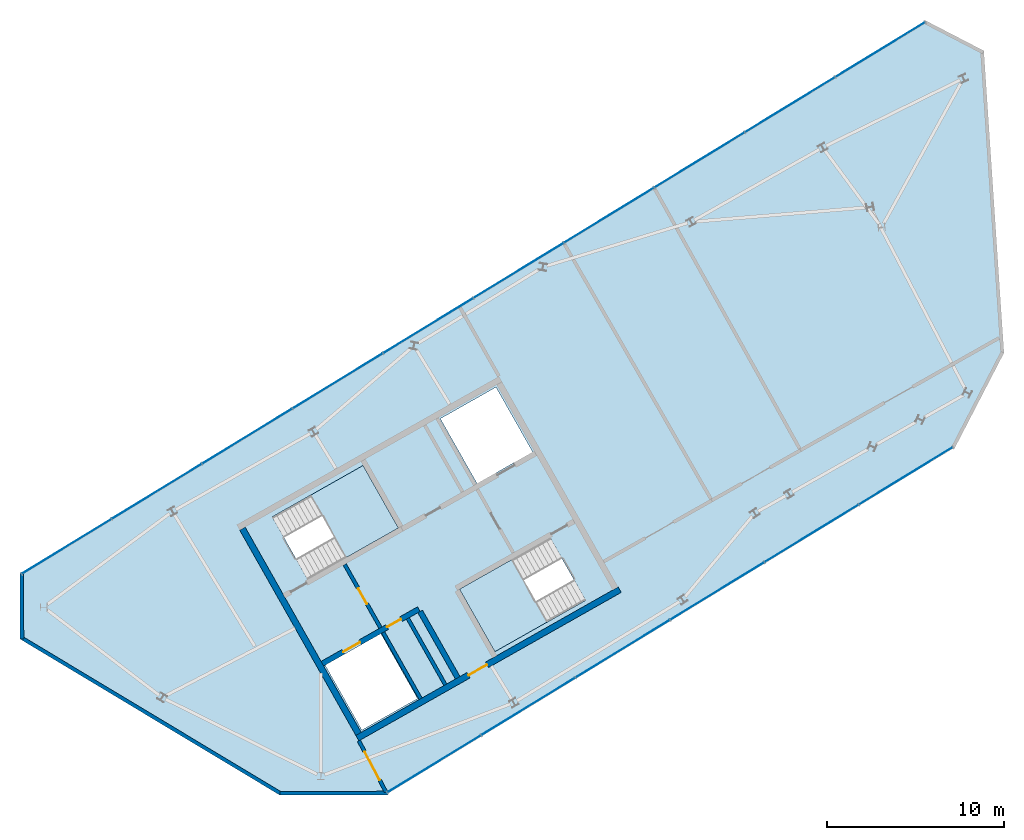
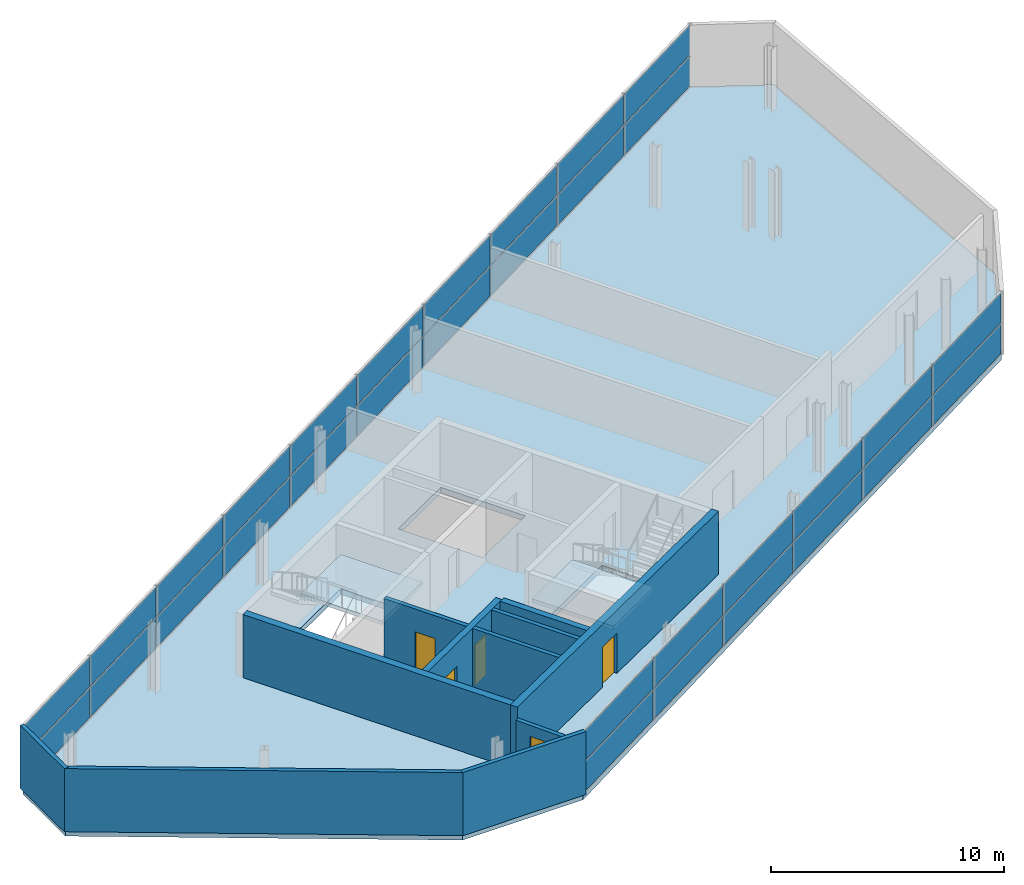
# One storey, part 6 of 8: 32 plates, 11 walls, 5 doors, 3 slabs, 5 openings, 4 elements without a shape of their own.
"""IFC4 building model written with IfcOpenShell, lengths in metres."""

from ifc_helpers import new_model, si_unit, direction, frame, frame_2d, origin, origin_2d, place, context, subcontext, project, spatial, polyline, rectangle, outline, extrude, material, layer, layer_set, type_object, element, fill, aggregate, save


model = new_model("IFC4")

# Units and contexts
model_context = context("Model", 3, precision=1e-05, world=origin(), true_north=direction((0.0, 1.0)))
body_context = subcontext(model_context, "Body", "Model", "MODEL_VIEW")
ifc_project = project(units=[si_unit("LENGTHUNIT", "METRE"), si_unit("AREAUNIT", "SQUARE_METRE"), si_unit("VOLUMEUNIT", "CUBIC_METRE"), si_unit("PLANEANGLEUNIT", "RADIAN"), si_unit("MASSUNIT", "GRAM", prefix="KILO")], contexts=[model_context])

# Site, building, storey
site_placement = place(None, origin())
site = spatial("IfcSite", under=ifc_project, at=site_placement, CompositionType="ELEMENT")
building_placement = place(site_placement, origin())
building = spatial("IfcBuilding", under=site, at=building_placement, Name="Binnacle Exchange Tower", CompositionType="ELEMENT")
storey_placement = place(building_placement, frame((0.0, 0.0, 350.5)))
storey = spatial("IfcBuildingStorey", under=building, at=storey_placement, Name="L80", CompositionType="ELEMENT", Elevation=350.5)

# Curtain wall, plates
ifc_material_1 = material(Name="Bronze anodised aluminium frame", Category="aluminium")
curtain_wall_type = type_object("IfcCurtainWallType", Name="External wall - curtain wall crown tiers", PredefinedType="NOTDEFINED", material=ifc_material_1)
curtain_wall_1_placement = place(storey_placement, origin())
curtain_wall_1 = element("IfcCurtainWall", 1, at=curtain_wall_1_placement, inside=storey, type_object=curtain_wall_type, Name="External wall curtain wall CW5-C103 L80", PredefinedType="NOTDEFINED")
ifc_material_2 = material(Name="Glass", Category="glass")
ifc_layer_1 = layer(ifc_material_2, 0.028076171875)
ifc_layer_set_1 = layer_set([ifc_layer_1], Name="CW5 GLASS PANEL 28")
plate_type = type_object("IfcPlateType", Name="CW5 GLASS PANEL 28", PredefinedType="CURTAIN_PANEL", material=ifc_layer_set_1)
plate_1_placement = place(storey_placement, frame((-10.31201171875, 68.471923828125, 0.0498046875), z_axis=(0.0, 0.0, 1.0), x_axis=(-0.853460873194, -0.521156922554, 0.0)))
plate_1 = element("IfcPlate", 2, at=plate_1_placement, type_object=plate_type, Name="CW5-C103 panel 1.1", PredefinedType="CURTAIN_PANEL", context=body_context, shape_type="SweptSolid", body=[
    extrude(rectangle(XDim=5.887451171875, YDim=0.028076171875, at=origin_2d()), origin(), (0.0, 0.0, 1.0), 1.574951171875),
])
plate_2_placement = place(storey_placement, frame((-10.31201171875, 68.471923828125, 1.6748046875), z_axis=(0.0, 0.0, 1.0), x_axis=(-0.853460873194, -0.521156922554, 0.0)))
plate_2 = element("IfcPlate", 3, at=plate_2_placement, type_object=plate_type, Name="CW5-C103 panel 1.2", PredefinedType="CURTAIN_PANEL", context=body_context, shape_type="SweptSolid", body=[
    extrude(rectangle(XDim=5.887451171875, YDim=0.028076171875, at=origin_2d()), origin(), (0.0, 0.0, 1.0), 1.574951171875),
])
plate_3_placement = place(storey_placement, frame((-15.40087890625, 65.36474609375, 0.0498046875), z_axis=(0.0, 0.0, 1.0), x_axis=(-0.853460873194, -0.521156922554, 0.0)))
plate_3 = element("IfcPlate", 4, at=plate_3_placement, type_object=plate_type, Name="CW5-C103 panel 2.1", PredefinedType="CURTAIN_PANEL", context=body_context, shape_type="SweptSolid", body=[
    extrude(rectangle(XDim=5.91748046875, YDim=0.028076171875, at=origin_2d()), origin(), (0.0, 0.0, 1.0), 1.574951171875),
])
plate_4_placement = place(storey_placement, frame((-15.40087890625, 65.36474609375, 1.6748046875), z_axis=(0.0, 0.0, 1.0), x_axis=(-0.853460873194, -0.521156922554, 0.0)))
plate_4 = element("IfcPlate", 5, at=plate_4_placement, type_object=plate_type, Name="CW5-C103 panel 2.2", PredefinedType="CURTAIN_PANEL", context=body_context, shape_type="SweptSolid", body=[
    extrude(rectangle(XDim=5.91748046875, YDim=0.028076171875, at=origin_2d()), origin(), (0.0, 0.0, 1.0), 1.574951171875),
])
plate_5_placement = place(storey_placement, frame((-20.50244140625, 62.24951171875, 0.0498046875), z_axis=(0.0, 0.0, 1.0), x_axis=(-0.853460873194, -0.521156922554, 0.0)))
plate_5 = element("IfcPlate", 6, at=plate_5_placement, type_object=plate_type, Name="CW5-C103 panel 3.1", PredefinedType="CURTAIN_PANEL", context=body_context, shape_type="SweptSolid", body=[
    extrude(rectangle(XDim=5.91748046875, YDim=0.028076171875, at=origin_2d()), origin(), (0.0, 0.0, 1.0), 1.574951171875),
])
plate_6_placement = place(storey_placement, frame((-20.50244140625, 62.24951171875, 1.6748046875), z_axis=(0.0, 0.0, 1.0), x_axis=(-0.853460873194, -0.521156922554, 0.0)))
plate_6 = element("IfcPlate", 7, at=plate_6_placement, type_object=plate_type, Name="CW5-C103 panel 3.2", PredefinedType="CURTAIN_PANEL", context=body_context, shape_type="SweptSolid", body=[
    extrude(rectangle(XDim=5.91748046875, YDim=0.028076171875, at=origin_2d()), origin(), (0.0, 0.0, 1.0), 1.574951171875),
])
plate_7_placement = place(storey_placement, frame((-25.60400390625, 59.13427734375, 0.0498046875), z_axis=(0.0, 0.0, 1.0), x_axis=(-0.853460873194, -0.521156922554, 0.0)))
plate_7 = element("IfcPlate", 8, at=plate_7_placement, type_object=plate_type, Name="CW5-C103 panel 4.1", PredefinedType="CURTAIN_PANEL", context=body_context, shape_type="SweptSolid", body=[
    extrude(rectangle(XDim=5.91748046875, YDim=0.028076171875, at=origin_2d()), origin(), (0.0, 0.0, 1.0), 1.574951171875),
])
plate_8_placement = place(storey_placement, frame((-25.60400390625, 59.13427734375, 1.6748046875), z_axis=(0.0, 0.0, 1.0), x_axis=(-0.853460873194, -0.521156922554, 0.0)))
plate_8 = element("IfcPlate", 9, at=plate_8_placement, type_object=plate_type, Name="CW5-C103 panel 4.2", PredefinedType="CURTAIN_PANEL", context=body_context, shape_type="SweptSolid", body=[
    extrude(rectangle(XDim=5.91748046875, YDim=0.028076171875, at=origin_2d()), origin(), (0.0, 0.0, 1.0), 1.574951171875),
])
plate_9_placement = place(storey_placement, frame((-30.70556640625, 56.01904296875, 0.0498046875), z_axis=(0.0, 0.0, 1.0), x_axis=(-0.853460873194, -0.521156922554, 0.0)))
plate_9 = element("IfcPlate", 10, at=plate_9_placement, type_object=plate_type, Name="CW5-C103 panel 5.1", PredefinedType="CURTAIN_PANEL", context=body_context, shape_type="SweptSolid", body=[
    extrude(rectangle(XDim=5.91748046875, YDim=0.028076171875, at=origin_2d()), origin(), (0.0, 0.0, 1.0), 1.574951171875),
])
plate_10_placement = place(storey_placement, frame((-30.70556640625, 56.01904296875, 1.6748046875), z_axis=(0.0, 0.0, 1.0), x_axis=(-0.853460873194, -0.521156922554, 0.0)))
plate_10 = element("IfcPlate", 11, at=plate_10_placement, type_object=plate_type, Name="CW5-C103 panel 5.2", PredefinedType="CURTAIN_PANEL", context=body_context, shape_type="SweptSolid", body=[
    extrude(rectangle(XDim=5.91748046875, YDim=0.028076171875, at=origin_2d()), origin(), (0.0, 0.0, 1.0), 1.574951171875),
])
plate_11_placement = place(storey_placement, frame((-35.80712890625, 52.90380859375, 0.0498046875), z_axis=(0.0, 0.0, 1.0), x_axis=(-0.853460873194, -0.521156922554, 0.0)))
plate_11 = element("IfcPlate", 12, at=plate_11_placement, type_object=plate_type, Name="CW5-C103 panel 6.1", PredefinedType="CURTAIN_PANEL", context=body_context, shape_type="SweptSolid", body=[
    extrude(rectangle(XDim=5.91748046875, YDim=0.028076171875, at=origin_2d()), origin(), (0.0, 0.0, 1.0), 1.574951171875),
])
plate_12_placement = place(storey_placement, frame((-35.80712890625, 52.90380859375, 1.6748046875), z_axis=(0.0, 0.0, 1.0), x_axis=(-0.853460873194, -0.521156922554, 0.0)))
plate_12 = element("IfcPlate", 13, at=plate_12_placement, type_object=plate_type, Name="CW5-C103 panel 6.2", PredefinedType="CURTAIN_PANEL", context=body_context, shape_type="SweptSolid", body=[
    extrude(rectangle(XDim=5.91748046875, YDim=0.028076171875, at=origin_2d()), origin(), (0.0, 0.0, 1.0), 1.574951171875),
])
plate_13_placement = place(storey_placement, frame((-40.90869140625, 49.78857421875, 0.0498046875), z_axis=(0.0, 0.0, 1.0), x_axis=(-0.853460873194, -0.521156922554, 0.0)))
plate_13 = element("IfcPlate", 14, at=plate_13_placement, type_object=plate_type, Name="CW5-C103 panel 7.1", PredefinedType="CURTAIN_PANEL", context=body_context, shape_type="SweptSolid", body=[
    extrude(rectangle(XDim=5.91748046875, YDim=0.028076171875, at=origin_2d()), origin(), (0.0, 0.0, 1.0), 1.574951171875),
])
plate_14_placement = place(storey_placement, frame((-40.90869140625, 49.78857421875, 1.6748046875), z_axis=(0.0, 0.0, 1.0), x_axis=(-0.853460873194, -0.521156922554, 0.0)))
plate_14 = element("IfcPlate", 15, at=plate_14_placement, type_object=plate_type, Name="CW5-C103 panel 7.2", PredefinedType="CURTAIN_PANEL", context=body_context, shape_type="SweptSolid", body=[
    extrude(rectangle(XDim=5.91748046875, YDim=0.028076171875, at=origin_2d()), origin(), (0.0, 0.0, 1.0), 1.574951171875),
])
plate_15_placement = place(storey_placement, frame((-46.01025390625, 46.67333984375, 0.0498046875), z_axis=(0.0, 0.0, 1.0), x_axis=(-0.853460873194, -0.521156922554, 0.0)))
plate_15 = element("IfcPlate", 16, at=plate_15_placement, type_object=plate_type, Name="CW5-C103 panel 8.1", PredefinedType="CURTAIN_PANEL", context=body_context, shape_type="SweptSolid", body=[
    extrude(rectangle(XDim=5.91748046875, YDim=0.028076171875, at=origin_2d()), origin(), (0.0, 0.0, 1.0), 1.574951171875),
])
plate_16_placement = place(storey_placement, frame((-46.01025390625, 46.67333984375, 1.6748046875), z_axis=(0.0, 0.0, 1.0), x_axis=(-0.853460873194, -0.521156922554, 0.0)))
plate_16 = element("IfcPlate", 17, at=plate_16_placement, type_object=plate_type, Name="CW5-C103 panel 8.2", PredefinedType="CURTAIN_PANEL", context=body_context, shape_type="SweptSolid", body=[
    extrude(rectangle(XDim=5.91748046875, YDim=0.028076171875, at=origin_2d()), origin(), (0.0, 0.0, 1.0), 1.574951171875),
])
plate_17_placement = place(storey_placement, frame((-51.11181640625, 43.55810546875, 0.0498046875), z_axis=(0.0, 0.0, 1.0), x_axis=(-0.853460873194, -0.521156922554, 0.0)))
plate_17 = element("IfcPlate", 18, at=plate_17_placement, type_object=plate_type, Name="CW5-C103 panel 9.1", PredefinedType="CURTAIN_PANEL", context=body_context, shape_type="SweptSolid", body=[
    extrude(rectangle(XDim=5.91748046875, YDim=0.028076171875, at=origin_2d()), origin(), (0.0, 0.0, 1.0), 1.574951171875),
])
plate_18_placement = place(storey_placement, frame((-51.11181640625, 43.55810546875, 1.6748046875), z_axis=(0.0, 0.0, 1.0), x_axis=(-0.853460873194, -0.521156922554, 0.0)))
plate_18 = element("IfcPlate", 19, at=plate_18_placement, type_object=plate_type, Name="CW5-C103 panel 9.2", PredefinedType="CURTAIN_PANEL", context=body_context, shape_type="SweptSolid", body=[
    extrude(rectangle(XDim=5.91748046875, YDim=0.028076171875, at=origin_2d()), origin(), (0.0, 0.0, 1.0), 1.574951171875),
])
plate_19_placement = place(storey_placement, frame((-56.20068359375, 40.45068359375, 0.0498046875), z_axis=(0.0, 0.0, 1.0), x_axis=(-0.853460873194, -0.521156922554, 0.0)))
plate_19 = element("IfcPlate", 20, at=plate_19_placement, type_object=plate_type, Name="CW5-C103 panel 10.1", PredefinedType="CURTAIN_PANEL", context=body_context, shape_type="SweptSolid", body=[
    extrude(rectangle(XDim=5.887451171875, YDim=0.028076171875, at=origin_2d()), origin(), (0.0, 0.0, 1.0), 1.574951171875),
])
plate_20_placement = place(storey_placement, frame((-56.20068359375, 40.45068359375, 1.6748046875), z_axis=(0.0, 0.0, 1.0), x_axis=(-0.853460873194, -0.521156922554, 0.0)))
plate_20 = element("IfcPlate", 21, at=plate_20_placement, type_object=plate_type, Name="CW5-C103 panel 10.2", PredefinedType="CURTAIN_PANEL", context=body_context, shape_type="SweptSolid", body=[
    extrude(rectangle(XDim=5.887451171875, YDim=0.028076171875, at=origin_2d()), origin(), (0.0, 0.0, 1.0), 1.574951171875),
])
aggregate(curtain_wall_1, [plate_1, plate_2, plate_3, plate_4, plate_5, plate_6, plate_7, plate_8, plate_9, plate_10, plate_11, plate_12, plate_13, plate_14, plate_15, plate_16, plate_17, plate_18, plate_19, plate_20])

curtain_wall_2_placement = place(storey_placement, origin())
curtain_wall_2 = element("IfcCurtainWall", 22, at=curtain_wall_2_placement, inside=storey, type_object=curtain_wall_type, Name="External wall curtain wall CW5-C107 L80", PredefinedType="NOTDEFINED")
plate_21_placement = place(storey_placement, frame((-35.47021484375, 28.1865234375, 0.0498046875), z_axis=(0.0, 0.0, 1.0), x_axis=(0.853460873194, 0.521156922554, 0.0)))
plate_21 = element("IfcPlate", 23, at=plate_21_placement, type_object=plate_type, Name="CW5-C107 panel 1.1", PredefinedType="CURTAIN_PANEL", context=body_context, shape_type="SweptSolid", body=[
    extrude(rectangle(XDim=6.149169921875, YDim=0.028076171875, at=origin_2d()), origin(), (0.0, 0.0, 1.0), 1.574951171875),
])
plate_22_placement = place(storey_placement, frame((-35.47021484375, 28.1865234375, 1.6748046875), z_axis=(0.0, 0.0, 1.0), x_axis=(0.853460873194, 0.521156922554, 0.0)))
plate_22 = element("IfcPlate", 24, at=plate_22_placement, type_object=plate_type, Name="CW5-C107 panel 1.2", PredefinedType="CURTAIN_PANEL", context=body_context, shape_type="SweptSolid", body=[
    extrude(rectangle(XDim=6.149169921875, YDim=0.028076171875, at=origin_2d()), origin(), (0.0, 0.0, 1.0), 1.574951171875),
])
plate_23_placement = place(storey_placement, frame((-30.158203125, 31.43017578125, 0.0498046875), z_axis=(0.0, 0.0, 1.0), x_axis=(0.853460873194, 0.521156922554, 0.0)))
plate_23 = element("IfcPlate", 25, at=plate_23_placement, type_object=plate_type, Name="CW5-C107 panel 2.1", PredefinedType="CURTAIN_PANEL", context=body_context, shape_type="SweptSolid", body=[
    extrude(rectangle(XDim=6.17919921875, YDim=0.028076171875, at=origin_2d()), origin(), (0.0, 0.0, 1.0), 1.574951171875),
])
plate_24_placement = place(storey_placement, frame((-30.158203125, 31.43017578125, 1.6748046875), z_axis=(0.0, 0.0, 1.0), x_axis=(0.853460873194, 0.521156922554, 0.0)))
plate_24 = element("IfcPlate", 26, at=plate_24_placement, type_object=plate_type, Name="CW5-C107 panel 2.2", PredefinedType="CURTAIN_PANEL", context=body_context, shape_type="SweptSolid", body=[
    extrude(rectangle(XDim=6.17919921875, YDim=0.028076171875, at=origin_2d()), origin(), (0.0, 0.0, 1.0), 1.574951171875),
])
plate_25_placement = place(storey_placement, frame((-24.833251953125, 34.681884765625, 0.0498046875), z_axis=(0.0, 0.0, 1.0), x_axis=(0.853460873194, 0.521156922554, 0.0)))
plate_25 = element("IfcPlate", 27, at=plate_25_placement, type_object=plate_type, Name="CW5-C107 panel 3.1", PredefinedType="CURTAIN_PANEL", context=body_context, shape_type="SweptSolid", body=[
    extrude(rectangle(XDim=6.17919921875, YDim=0.028076171875, at=origin_2d()), origin(), (0.0, 0.0, 1.0), 1.574951171875),
])
plate_26_placement = place(storey_placement, frame((-24.833251953125, 34.681884765625, 1.6748046875), z_axis=(0.0, 0.0, 1.0), x_axis=(0.853460873194, 0.521156922554, 0.0)))
plate_26 = element("IfcPlate", 28, at=plate_26_placement, type_object=plate_type, Name="CW5-C107 panel 3.2", PredefinedType="CURTAIN_PANEL", context=body_context, shape_type="SweptSolid", body=[
    extrude(rectangle(XDim=6.17919921875, YDim=0.028076171875, at=origin_2d()), origin(), (0.0, 0.0, 1.0), 1.574951171875),
])
plate_27_placement = place(storey_placement, frame((-19.50830078125, 37.933349609375, 0.0498046875), z_axis=(0.0, 0.0, 1.0), x_axis=(0.853460873194, 0.521156922554, 0.0)))
plate_27 = element("IfcPlate", 29, at=plate_27_placement, type_object=plate_type, Name="CW5-C107 panel 4.1", PredefinedType="CURTAIN_PANEL", context=body_context, shape_type="SweptSolid", body=[
    extrude(rectangle(XDim=6.17919921875, YDim=0.028076171875, at=origin_2d()), origin(), (0.0, 0.0, 1.0), 1.574951171875),
])
plate_28_placement = place(storey_placement, frame((-19.50830078125, 37.933349609375, 1.6748046875), z_axis=(0.0, 0.0, 1.0), x_axis=(0.853460873194, 0.521156922554, 0.0)))
plate_28 = element("IfcPlate", 30, at=plate_28_placement, type_object=plate_type, Name="CW5-C107 panel 4.2", PredefinedType="CURTAIN_PANEL", context=body_context, shape_type="SweptSolid", body=[
    extrude(rectangle(XDim=6.17919921875, YDim=0.028076171875, at=origin_2d()), origin(), (0.0, 0.0, 1.0), 1.574951171875),
])
plate_29_placement = place(storey_placement, frame((-14.183349609375, 41.18505859375, 0.0498046875), z_axis=(0.0, 0.0, 1.0), x_axis=(0.853460873194, 0.521156922554, 0.0)))
plate_29 = element("IfcPlate", 31, at=plate_29_placement, type_object=plate_type, Name="CW5-C107 panel 5.1", PredefinedType="CURTAIN_PANEL", context=body_context, shape_type="SweptSolid", body=[
    extrude(rectangle(XDim=6.17919921875, YDim=0.028076171875, at=origin_2d()), origin(), (0.0, 0.0, 1.0), 1.574951171875),
])
plate_30_placement = place(storey_placement, frame((-14.183349609375, 41.18505859375, 1.6748046875), z_axis=(0.0, 0.0, 1.0), x_axis=(0.853460873194, 0.521156922554, 0.0)))
plate_30 = element("IfcPlate", 32, at=plate_30_placement, type_object=plate_type, Name="CW5-C107 panel 5.2", PredefinedType="CURTAIN_PANEL", context=body_context, shape_type="SweptSolid", body=[
    extrude(rectangle(XDim=6.17919921875, YDim=0.028076171875, at=origin_2d()), origin(), (0.0, 0.0, 1.0), 1.574951171875),
])
plate_31_placement = place(storey_placement, frame((-8.871337890625, 44.4287109375, 0.0498046875), z_axis=(0.0, 0.0, 1.0), x_axis=(0.853460873194, 0.521156922554, 0.0)))
plate_31 = element("IfcPlate", 33, at=plate_31_placement, type_object=plate_type, Name="CW5-C107 panel 6.1", PredefinedType="CURTAIN_PANEL", context=body_context, shape_type="SweptSolid", body=[
    extrude(rectangle(XDim=6.149169921875, YDim=0.028076171875, at=origin_2d()), origin(), (0.0, 0.0, 1.0), 1.574951171875),
])
plate_32_placement = place(storey_placement, frame((-8.871337890625, 44.4287109375, 1.6748046875), z_axis=(0.0, 0.0, 1.0), x_axis=(0.853460873194, 0.521156922554, 0.0)))
plate_32 = element("IfcPlate", 34, at=plate_32_placement, type_object=plate_type, Name="CW5-C107 panel 6.2", PredefinedType="CURTAIN_PANEL", context=body_context, shape_type="SweptSolid", body=[
    extrude(rectangle(XDim=6.149169921875, YDim=0.028076171875, at=origin_2d()), origin(), (0.0, 0.0, 1.0), 1.574951171875),
])
aggregate(curtain_wall_2, [plate_21, plate_22, plate_23, plate_24, plate_25, plate_26, plate_27, plate_28, plate_29, plate_30, plate_31, plate_32])

# Slab
ifc_material_3 = material(Name="Concrete C35/45", Category="concrete")
ifc_layer_2 = layer(ifc_material_3, 0.300048828125)
ifc_layer_set_2 = layer_set([ifc_layer_2], Name="Floor slab 300 Concrete C35/45")
slab_type_1 = type_object("IfcSlabType", Name="Floor slab 300 Concrete C35/45", PredefinedType="FLOOR", material=ifc_layer_set_2)
slab_1_placement = place(storey_placement, frame((0.0, 0.0, -0.300048828125)))
element("IfcSlab", 35, at=slab_1_placement, inside=storey, type_object=slab_type_1, Name="S:SL:L80:01", PredefinedType="FLOOR", context=body_context, shape_type="SweptSolid", body=[
    extrude(outline(polyline([(-38.156982421875, 26.5458984375), (-44.14404296875, 26.5244140625), (-58.716064453125, 35.280029296875), (-58.72900390625, 38.90673828125), (-7.78369140625, 70.01611328125), (-4.563232421875, 68.347900390625), (-3.430908203125, 51.385498046875), (-6.184814453125, 46.0693359375), (-38.156982421875, 26.5458984375)]), holes=[polyline([(-41.61279296875, 33.756591796875), (-39.544677734375, 30.10107421875), (-36.411376953125, 31.873779296875), (-38.4794921875, 35.529296875), (-41.61279296875, 33.756591796875)]), polyline([(-26.9287109375, 37.4111328125), (-28.923095703125, 40.93603515625), (-34.040771484375, 38.04052734375), (-32.04638671875, 34.515625), (-26.9287109375, 37.4111328125)]), polyline([(-44.598388671875, 42.12060546875), (-42.604248046875, 38.595703125), (-37.486572265625, 41.4912109375), (-39.480712890625, 45.01611328125), (-44.598388671875, 42.12060546875)]), polyline([(-35.115966796875, 47.657958984375), (-33.047607421875, 44.00244140625), (-29.914306640625, 45.775390625), (-31.982666015625, 49.430908203125), (-35.115966796875, 47.657958984375)])]), origin(), (0.0, 0.0, 1.0), 0.300048828125),
])

# Stair, slab
stair_type = type_object("IfcStairType", Name="STAIR 20 RISERS 180", PredefinedType="HALF_TURN_STAIR", material=ifc_material_3)
stair_1_placement = place(storey_placement, origin())
stair_1 = element("IfcStair", 36, at=stair_1_placement, inside=storey, type_object=stair_type, Name="L80 Escape stair A1", PredefinedType="HALF_TURN_STAIR")
ifc_layer_3 = layer(ifc_material_3, 0.199951171875)
ifc_layer_set_3 = layer_set([ifc_layer_3], Name="STAIR LANDING 200")
slab_type_2 = type_object("IfcSlabType", Name="STAIR LANDING 200", PredefinedType="LANDING", material=ifc_layer_set_3)
slab_2_placement = place(storey_placement, frame((0.0, 0.0, 1.60009765625)))
slab_2 = element("IfcSlab", 37, at=slab_2_placement, type_object=slab_type_2, Name="STA1 landing 1", PredefinedType="LANDING", context=body_context, shape_type="SweptSolid", body=[
    extrude(outline(polyline([(-40.44580078125, 39.81689453125), (-37.486572265625, 41.4912109375), (-39.48095703125, 45.01611328125), (-42.43994140625, 43.341796875), (-40.44580078125, 39.81689453125)])), origin(), (0.0, 0.0, 1.0), 0.199951171875),
])
aggregate(stair_1, [slab_2])

stair_2_placement = place(storey_placement, origin())
stair_2 = element("IfcStair", 38, at=stair_2_placement, inside=storey, type_object=stair_type, Name="L80 Escape stair A2", PredefinedType="HALF_TURN_STAIR")
slab_3_placement = place(storey_placement, frame((0.0, 0.0, 1.60009765625)))
slab_3 = element("IfcSlab", 39, at=slab_3_placement, type_object=slab_type_2, Name="STA2 landing 1", PredefinedType="LANDING", context=body_context, shape_type="SweptSolid", body=[
    extrude(outline(polyline([(-31.08154296875, 39.71484375), (-34.040771484375, 38.04052734375), (-32.04638671875, 34.515625), (-29.087158203125, 36.18994140625), (-31.08154296875, 39.71484375)])), origin(), (0.0, 0.0, 1.0), 0.199951171875),
])
aggregate(stair_2, [slab_3])

# Wall, openings, doors
ifc_material_4 = material(Name="Concrete C70/85", Category="concrete")
ifc_layer_4 = layer(ifc_material_4, 0.300048828125)
ifc_layer_set_4 = layer_set([ifc_layer_4], Name="Core wall - front 300")
wall_type_1 = type_object("IfcWallType", Name="Core wall - front 300", PredefinedType="SOLIDWALL", material=ifc_layer_set_4)
wall_1_placement = place(storey_placement, frame((-41.773681640625, 33.837890625, 0.0), z_axis=(0.0, 0.0, 1.0), x_axis=(0.870355415866, 0.492424055132, 0.0)))
wall_1 = element("IfcWall", 40, at=wall_1_placement, inside=storey, type_object=wall_type_1, Name="Core wall CRWA2", PredefinedType="SOLIDWALL", context=body_context, shape_type="SweptSolid", body=[
    extrude(rectangle(XDim=6.25, YDim=0.300048828125, at=frame_2d((3.125, 0.0))), origin(), (0.0, 0.0, 1.0), 3.300048828125),
])
opening_1_placement = place(wall_1_placement, frame((1.349853515625, 0.0, 0.0)))
opening_1 = element("IfcOpeningElement", 41, at=opening_1_placement, cuts=wall_1, Name="Opening LD12", PredefinedType="OPENING", context=body_context, shape_type="SweptSolid", body=[
    extrude(rectangle(XDim=1.10009765625, YDim=2.10009765625, at=frame_2d((0.550048828125, 1.050048828125))), frame((0.0, 0.159912109375, 0.0), z_axis=(0.0, -1.0, 0.0), x_axis=(1.0, 0.0, 0.0)), (0.0, 0.0, 1.0), 0.320068359375),
])
opening_2_placement = place(wall_1_placement, frame((4.199951171875, 0.0, 0.0)))
opening_2 = element("IfcOpeningElement", 42, at=opening_2_placement, cuts=wall_1, Name="Opening DA14", PredefinedType="OPENING", context=body_context, shape_type="SweptSolid", body=[
    extrude(rectangle(XDim=0.89990234375, YDim=2.10009765625, at=frame_2d((0.449951171875, 1.050048828125))), frame((0.0, 0.159912109375, 0.0), z_axis=(0.0, -1.0, 0.0), x_axis=(1.0, 0.0, 0.0)), (0.0, 0.0, 1.0), 0.320068359375),
])
ifc_material_5 = material(Name="Steel door leaf", Category="steel")
door_type_1 = type_object("IfcDoorType", Name="Fire door - lift landing 1100", OperationType="NOTDEFINED", PredefinedType="DOOR", material=ifc_material_5)
door_1_placement = place(opening_1_placement, origin())
door_1 = element("IfcDoor", 43, at=door_1_placement, inside=storey, type_object=door_type_1, Name="Landing door LD12 L80", OperationType="DOUBLE_DOOR_SLIDING", OverallHeight=2.10009765625, OverallWidth=1.10009765625, PredefinedType="DOOR", context=body_context, shape_type="SweptSolid", body=[
    extrude(rectangle(XDim=1.10009765625, YDim=2.10009765625, at=frame_2d((0.550048828125, 1.050048828125))), frame((0.0, 0.02490234375, 0.0), z_axis=(0.0, -1.0, 0.0), x_axis=(1.0, 0.0, 0.0)), (0.0, 0.0, 1.0), 0.050048828125),
])
fill(opening_1, door_1)
door_type_2 = type_object("IfcDoorType", Name="Fire door 900", OperationType="NOTDEFINED", PredefinedType="DOOR", material=ifc_material_5)
door_2_placement = place(opening_2_placement, frame((0.89990234375, 0.0, 0.0), z_axis=(0.0, 0.0, 1.0), x_axis=(-1.0, 0.0, 0.0)))
door_2 = element("IfcDoor", 44, at=door_2_placement, inside=storey, type_object=door_type_2, Name="Core room door IT STORE", OperationType="SINGLE_SWING_LEFT", OverallHeight=2.10009765625, OverallWidth=0.89990234375, PredefinedType="DOOR", context=body_context, shape_type="SweptSolid", body=[
    extrude(rectangle(XDim=0.89990234375, YDim=2.10009765625, at=frame_2d((0.449951171875, 1.050048828125))), frame((0.0, 0.02490234375, 0.0), z_axis=(0.0, -1.0, 0.0), x_axis=(1.0, 0.0, 0.0)), (0.0, 0.0, 1.0), 0.050048828125),
])
fill(opening_2, door_2)

# Wall
wall_2_placement = place(storey_placement, frame((-36.260009765625, 36.784912109375, 0.0), z_axis=(0.0, 0.0, 1.0), x_axis=(0.492435133428, -0.870349147967, 0.0)))
element("IfcWall", 45, at=wall_2_placement, inside=storey, type_object=wall_type_1, Name="Core wall CRWA13", PredefinedType="SOLIDWALL", context=body_context, shape_type="SweptSolid", body=[
    extrude(rectangle(XDim=4.2998046875, YDim=0.300048828125, at=frame_2d((2.14990234375, 0.0))), origin(), (0.0, 0.0, 1.0), 3.300048828125),
])

# Wall, opening, door
ifc_layer_5 = layer(ifc_material_4, 0.35009765625)
ifc_layer_set_5 = layer_set([ifc_layer_5], Name="Core wall - outer 350")
wall_type_2 = type_object("IfcWallType", Name="Core wall - outer 350", PredefinedType="SOLIDWALL", material=ifc_layer_set_5)
wall_3_placement = place(storey_placement, frame((-39.80078125, 29.64013671875, 0.0), z_axis=(0.0, 0.0, 1.0), x_axis=(0.870359753402, 0.492416388494, 0.0)))
wall_3 = element("IfcWall", 46, at=wall_3_placement, inside=storey, type_object=wall_type_2, Name="Core wall CRWA1", PredefinedType="SOLIDWALL", context=body_context, shape_type="SweptSolid", body=[
    extrude(rectangle(XDim=17.0, YDim=0.35009765625, at=frame_2d((8.5, 0.0))), origin(), (0.0, 0.0, 1.0), 3.300048828125),
])
opening_3_placement = place(wall_3_placement, frame((7.199951171875, 0.0, 0.0)))
opening_3 = element("IfcOpeningElement", 47, at=opening_3_placement, cuts=wall_3, Name="Opening DA7", PredefinedType="OPENING", context=body_context, shape_type="SweptSolid", body=[
    extrude(rectangle(XDim=1.199951171875, YDim=2.10009765625, at=frame_2d((0.60009765625, 1.050048828125))), frame((0.0, 0.18505859375, 0.0), z_axis=(0.0, -1.0, 0.0), x_axis=(1.0, 0.0, 0.0)), (0.0, 0.0, 1.0), 0.3701171875),
])
door_type_3 = type_object("IfcDoorType", Name="Fire door 1200", OperationType="NOTDEFINED", PredefinedType="DOOR", material=ifc_material_5)
door_3_placement = place(opening_3_placement, frame((1.199951171875, 0.0, 0.0), z_axis=(0.0, 0.0, 1.0), x_axis=(-1.0, 0.0, 0.0)))
door_3 = element("IfcDoor", 48, at=door_3_placement, inside=storey, type_object=door_type_3, Name="Lift lobby entrance door core A", OperationType="SINGLE_SWING_RIGHT", OverallHeight=2.10009765625, OverallWidth=1.199951171875, PredefinedType="DOOR", context=body_context, shape_type="SweptSolid", body=[
    extrude(rectangle(XDim=1.199951171875, YDim=2.10009765625, at=frame_2d((0.60009765625, 1.050048828125))), frame((0.0, 0.02490234375, 0.0), z_axis=(0.0, -1.0, 0.0), x_axis=(1.0, 0.0, 0.0)), (0.0, 0.0, 1.0), 0.050048828125),
])
fill(opening_3, door_3)

# Walls
wall_4_placement = place(storey_placement, frame((-46.283935546875, 41.454345703125, 0.0), z_axis=(0.0, 0.0, 1.0), x_axis=(0.492429810477, -0.870352159619, 0.0)))
element("IfcWall", 49, at=wall_4_placement, inside=storey, type_object=wall_type_2, Name="Core wall CRWA7", PredefinedType="SOLIDWALL", context=body_context, shape_type="SweptSolid", body=[
    extrude(rectangle(XDim=13.300048828125, YDim=0.35009765625, at=frame_2d((6.64990234375, 0.0))), origin(), (0.0, 0.0, 1.0), 3.300048828125),
])
ifc_material_6 = material(Name="Bronze aluminium louvre", Category="aluminium")
ifc_layer_6 = layer(ifc_material_6, 0.199951171875)
ifc_layer_set_6 = layer_set([ifc_layer_6], Name="External wall - crown louvre 200")
wall_type_3 = type_object("IfcWallType", Name="External wall - crown louvre 200", PredefinedType="STANDARD", material=ifc_layer_set_6)
wall_5_placement = place(storey_placement, frame((-58.7158203125, 35.223876953125, 0.0), z_axis=(0.0, 0.0, 1.0), x_axis=(-0.003563076631, 0.999993652222, 0.0)))
element("IfcWall", 50, at=wall_5_placement, inside=storey, type_object=wall_type_3, Name="External wall EW-C104 L80", PredefinedType="STANDARD", context=body_context, shape_type="SweptSolid", body=[
    extrude(rectangle(XDim=3.7685546875, YDim=0.199951171875, at=frame_2d((1.88427734375, 0.0))), origin(), (0.0, 0.0, 1.0), 3.300048828125),
])
wall_6_placement = place(storey_placement, frame((-44.1201171875, 26.510009765625, 0.0), z_axis=(0.0, 0.0, 1.0), x_axis=(-0.85716996621, 0.515033638734, 0.0)))
element("IfcWall", 51, at=wall_6_placement, inside=storey, type_object=wall_type_3, Name="External wall EW-C105 L80", PredefinedType="STANDARD", context=body_context, shape_type="SweptSolid", body=[
    extrude(rectangle(XDim=17.08447265625, YDim=0.199951171875, at=frame_2d((8.542236328125, 0.0))), origin(), (0.0, 0.0, 1.0), 3.300048828125),
])
wall_7_placement = place(storey_placement, frame((-38.080810546875, 26.546142578125, 0.0), z_axis=(0.0, 0.0, 1.0), x_axis=(-0.999993637837, -0.003567111574, 0.0)))
element("IfcWall", 52, at=wall_7_placement, inside=storey, type_object=wall_type_3, Name="External wall EW-C106 L80", PredefinedType="STANDARD", context=body_context, shape_type="SweptSolid", body=[
    extrude(rectangle(XDim=6.09130859375, YDim=0.199951171875, at=frame_2d((3.045654296875, 0.0))), origin(), (0.0, 0.0, 1.0), 3.300048828125),
])

# Wall, opening, door
ifc_material_7 = material(Name="Masonry block wall", Category="masonry")
ifc_layer_7 = layer(ifc_material_7, 0.199951171875)
ifc_layer_set_7 = layer_set([ifc_layer_7], Name="Fire wall - block 200")
wall_type_4 = type_object("IfcWallType", Name="Fire wall - block 200", PredefinedType="PARTITIONING", material=ifc_layer_set_7)
wall_8_placement = place(storey_placement, frame((-39.715087890625, 29.488037109375, 0.0), z_axis=(0.0, 0.0, 1.0), x_axis=(0.467963390189, -0.883747851733, 0.0)))
wall_8 = element("IfcWall", 53, at=wall_8_placement, inside=storey, type_object=wall_type_4, Name="Partition W01", PredefinedType="PARTITIONING", context=body_context, shape_type="SweptSolid", body=[
    extrude(rectangle(XDim=3.26123046875, YDim=0.199951171875, at=frame_2d((1.630615234375, 0.0))), origin(), (0.0, 0.0, 1.0), 2.679931640625),
])
opening_4_placement = place(wall_8_placement, frame((0.699951171875, 0.0, 0.0)))
opening_4 = element("IfcOpeningElement", 54, at=opening_4_placement, cuts=wall_8, Name="Opening DL79-04", PredefinedType="OPENING", context=body_context, shape_type="SweptSolid", body=[
    extrude(rectangle(XDim=1.800048828125, YDim=2.10009765625, at=frame_2d((0.89990234375, 1.050048828125))), frame((0.0, 0.10986328125, 0.0), z_axis=(0.0, -1.0, 0.0), x_axis=(1.0, 0.0, 0.0)), (0.0, 0.0, 1.0), 0.219970703125),
])
door_type_4 = type_object("IfcDoorType", Name="Fire door 1800", OperationType="NOTDEFINED", PredefinedType="DOOR", material=ifc_material_5)
door_4_placement = place(opening_4_placement, frame((1.800048828125, 0.0, 0.0), z_axis=(0.0, 0.0, 1.0), x_axis=(-1.0, 0.0, 0.0)))
door_4 = element("IfcDoor", 55, at=door_4_placement, inside=storey, type_object=door_type_4, Name="Door DL79-04", OperationType="DOUBLE_DOOR_SINGLE_SWING", OverallHeight=2.10009765625, OverallWidth=1.800048828125, PredefinedType="DOOR", context=body_context, shape_type="SweptSolid", body=[
    extrude(rectangle(XDim=1.800048828125, YDim=2.10009765625, at=frame_2d((0.89990234375, 1.050048828125))), frame((0.0, 0.02490234375, 0.0), z_axis=(0.0, -1.0, 0.0), x_axis=(1.0, 0.0, 0.0)), (0.0, 0.0, 1.0), 0.050048828125),
])
fill(opening_4, door_4)

ifc_layer_8 = layer(ifc_material_7, 0.199951171875)
ifc_layer_set_8 = layer_set([ifc_layer_8], Name="Fire wall - vestibule 200")
wall_type_5 = type_object("IfcWallType", Name="Fire wall - vestibule 200", PredefinedType="PARTITIONING", material=ifc_layer_set_8)
wall_9_placement = place(storey_placement, frame((-40.515625, 39.4326171875, 0.0), z_axis=(0.0, 0.0, 1.0), x_axis=(0.492453559952, -0.87033872216, 0.0)))
wall_9 = element("IfcWall", 56, at=wall_9_placement, inside=storey, type_object=wall_type_5, Name="Core wall CRWA10", PredefinedType="PARTITIONING", context=body_context, shape_type="SweptSolid", body=[
    extrude(rectangle(XDim=4.099853515625, YDim=0.199951171875, at=frame_2d((2.0498046875, 0.0))), origin(), (0.0, 0.0, 1.0), 3.300048828125),
])
opening_5_placement = place(wall_9_placement, frame((1.550048828125, 0.0, 0.0)))
opening_5 = element("IfcOpeningElement", 57, at=opening_5_placement, cuts=wall_9, Name="Opening DA3", PredefinedType="OPENING", context=body_context, shape_type="SweptSolid", body=[
    extrude(rectangle(XDim=1.0, YDim=2.10009765625, at=frame_2d((0.5, 1.050048828125))), frame((0.0, 0.10986328125, 0.0), z_axis=(0.0, -1.0, 0.0), x_axis=(1.0, 0.0, 0.0)), (0.0, 0.0, 1.0), 0.219970703125),
])
door_type_5 = type_object("IfcDoorType", Name="Fire door 1000", OperationType="NOTDEFINED", PredefinedType="DOOR", material=ifc_material_5)
door_5_placement = place(opening_5_placement, frame((1.0, 0.0, 0.0), z_axis=(0.0, 0.0, 1.0), x_axis=(-1.0, 0.0, 0.0)))
door_5 = element("IfcDoor", 58, at=door_5_placement, inside=storey, type_object=door_type_5, Name="Vestibule door VEST-W", OperationType="SINGLE_SWING_LEFT", OverallHeight=2.10009765625, OverallWidth=1.0, PredefinedType="DOOR", context=body_context, shape_type="SweptSolid", body=[
    extrude(rectangle(XDim=1.0, YDim=2.10009765625, at=frame_2d((0.5, 1.050048828125))), frame((0.0, 0.02490234375, 0.0), z_axis=(0.0, -1.0, 0.0), x_axis=(1.0, 0.0, 0.0)), (0.0, 0.0, 1.0), 0.050048828125),
])
fill(opening_5, door_5)

# Walls
ifc_layer_9 = layer(ifc_material_7, 0.199951171875)
ifc_layer_set_9 = layer_set([ifc_layer_9], Name="Riser wall 200")
wall_type_6 = type_object("IfcWallType", Name="Riser wall 200", PredefinedType="SOLIDWALL", material=ifc_layer_set_9)
wall_10_placement = place(storey_placement, frame((-36.956298828125, 36.39111328125, 0.0), z_axis=(0.0, 0.0, 1.0), x_axis=(0.492410799949, -0.870362915164, 0.0)))
element("IfcWall", 59, at=wall_10_placement, inside=storey, type_object=wall_type_6, Name="Core wall CRWA12", PredefinedType="SOLIDWALL", context=body_context, shape_type="SweptSolid", body=[
    extrude(rectangle(XDim=4.300048828125, YDim=0.199951171875, at=frame_2d((2.14990234375, 0.0))), origin(), (0.0, 0.0, 1.0), 3.300048828125),
])
ifc_layer_10 = layer(ifc_material_7, 0.199951171875)
ifc_layer_set_10 = layer_set([ifc_layer_10], Name="Shaft wall 200")
wall_type_7 = type_object("IfcWallType", Name="Shaft wall 200", PredefinedType="SOLIDWALL", material=ifc_layer_set_10)
wall_11_placement = place(storey_placement, frame((-38.348876953125, 35.603271484375, 0.0), z_axis=(0.0, 0.0, 1.0), x_axis=(0.492410799949, -0.870362915164, 0.0)))
element("IfcWall", 60, at=wall_11_placement, inside=storey, type_object=wall_type_7, Name="Core wall CRWA9", PredefinedType="SOLIDWALL", context=body_context, shape_type="SweptSolid", body=[
    extrude(rectangle(XDim=4.300048828125, YDim=0.199951171875, at=frame_2d((2.14990234375, 0.0))), origin(), (0.0, 0.0, 1.0), 3.300048828125),
])

save(model, "model.ifc")
